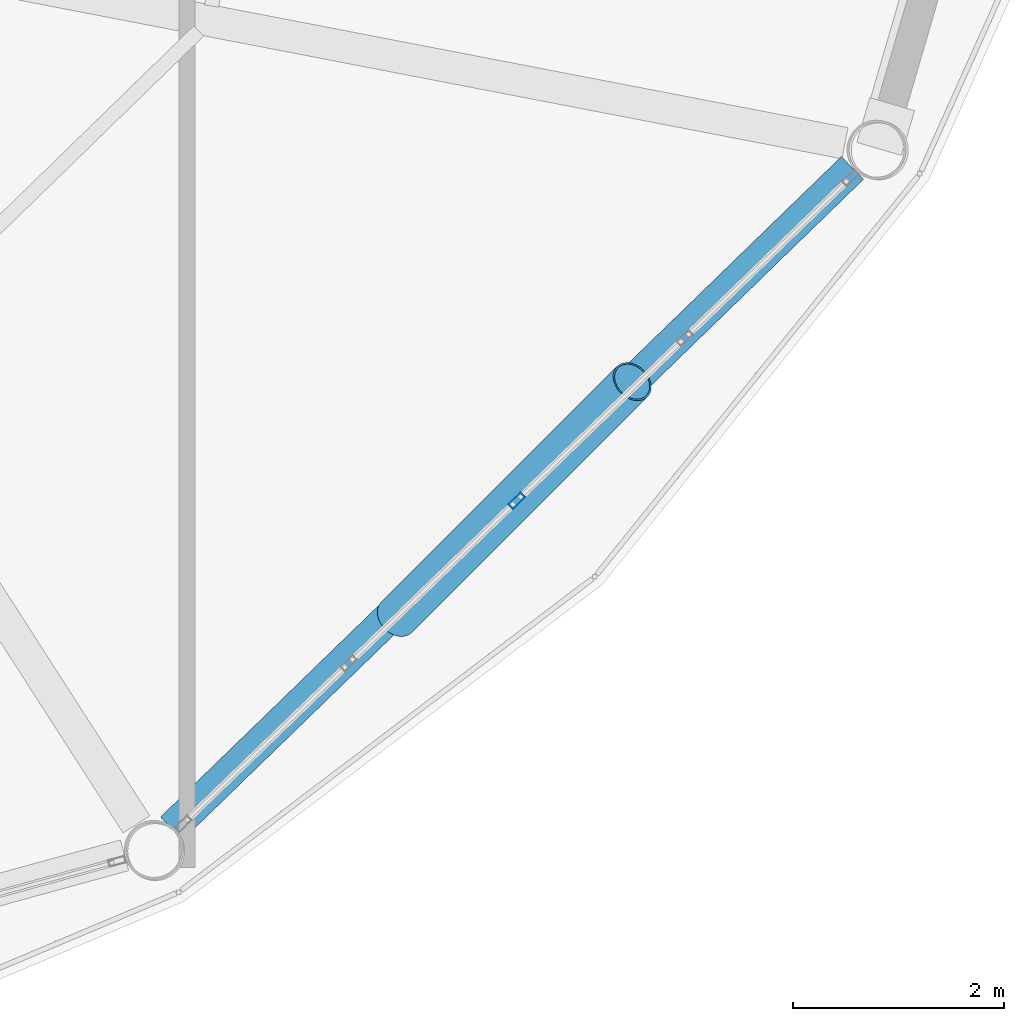
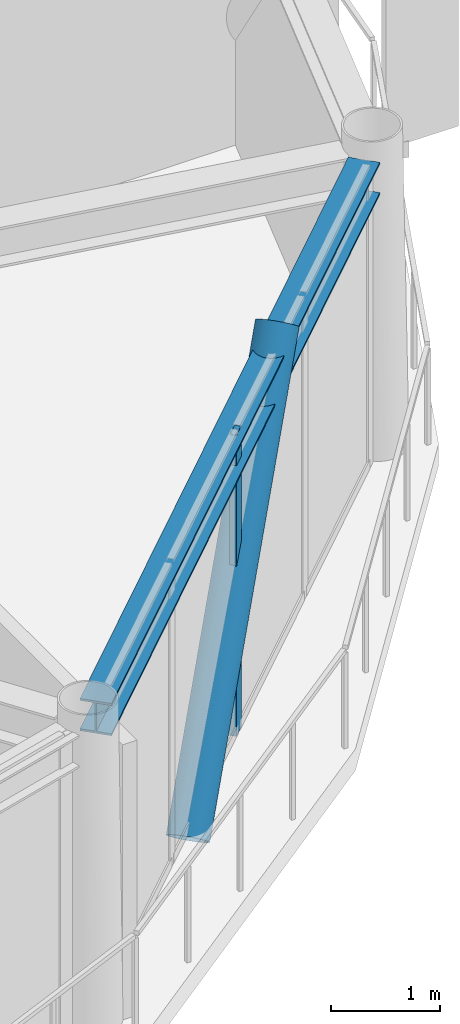
# One storey, part 9 of 27: 2 members, 1 beam, 1 element without a shape of its own.
"""IFC4 building model written with IfcOpenShell, lengths in metres."""

from ifc_helpers import new_model, si_unit, direction, frame, origin, origin_2d, place, context, subcontext, project, spatial, hollow_rectangle, hollow_circle, i_section, extrude, material, layer, layer_set, material_profile, profile_set, type_object, element, aggregate, save


model = new_model("IFC4")

# Units and contexts
model_context = context("Model", 3, precision=1e-05, world=origin(), true_north=direction((0.0, 1.0)))
body_context = subcontext(model_context, "Body", "Model", "MODEL_VIEW")
ifc_project = project(units=[si_unit("LENGTHUNIT", "METRE"), si_unit("AREAUNIT", "SQUARE_METRE"), si_unit("VOLUMEUNIT", "CUBIC_METRE"), si_unit("PLANEANGLEUNIT", "RADIAN"), si_unit("MASSUNIT", "GRAM", prefix="KILO")], contexts=[model_context])

# Site, building, storey
site_placement = place(None, origin())
site = spatial("IfcSite", under=ifc_project, at=site_placement, CompositionType="ELEMENT")
building_placement = place(site_placement, origin())
building = spatial("IfcBuilding", under=site, at=building_placement, Name="Varnakorn Sky Granary", CompositionType="ELEMENT")
storey_placement = place(building_placement, frame((0.0, 0.0, 229.199951171875)))
storey = spatial("IfcBuildingStorey", under=building, at=storey_placement, Name="L58", CompositionType="ELEMENT", Elevation=229.199951171875)

# Beam
ifc_material_1 = material(Name="Steel S355JR", Category="steel")
ifc_material_profile_1 = material_profile(ifc_material_1, i_section(OverallWidth=0.300048828125, OverallDepth=0.360107421875, WebThickness=0.012451171875, FlangeThickness=0.0224609375, at=origin_2d()), Name="HE 360 B")
ifc_profile_set_1 = profile_set([ifc_material_profile_1], Name="Steel S355JR")
beam_type = type_object("IfcBeamType", Name="BM-SPD-Z5", PredefinedType="SPANDREL", material=ifc_profile_set_1)
beam_placement = place(storey_placement, frame((14.35546875, -15.467529296875, 3.179931640625), z_axis=(0.717760671114, 0.696289895806, 0.0), x_axis=(-0.696289895806, 0.717760671114, 0.0)))
element("IfcBeam", 1, at=beam_placement, inside=storey, type_object=beam_type, Name="Perimeter Spandrel Ring Beam RB11 L58", PredefinedType="SPANDREL", context=body_context, shape_type="SweptSolid", body=[
    extrude(i_section(OverallWidth=0.300048828125, OverallDepth=0.360107421875, WebThickness=0.012451171875, FlangeThickness=0.0224609375, at=origin_2d()), origin(), (0.0, 0.0, 1.0), 8.9716796875),
])

# Curtain wall, member
ifc_material_2 = material(Name="Anodised Bronze Aluminium Alloy 6063-T6", Category="aluminium")
ifc_layer = layer(ifc_material_2, 0.169921875, Name="Anodised Bronze Aluminium Alloy 6063-T6")
ifc_layer_set = layer_set([ifc_layer], Name="Anodised Bronze Aluminium Alloy 6063-T6")
curtain_wall_type = type_object("IfcCurtainWallType", Name="CW-LAB-1", PredefinedType="USERDEFINED", material=ifc_layer_set)
curtain_wall_placement = place(storey_placement, origin())
curtain_wall = element("IfcCurtainWall", 2, at=curtain_wall_placement, inside=storey, type_object=curtain_wall_type, Name="Unitised Curtain Wall CW5 CW-L58-B11", ObjectType="CURTAIN WALL", PredefinedType="USERDEFINED")
ifc_material_profile_2 = material_profile(ifc_material_2, hollow_rectangle(XDim=0.06494140625, YDim=0.159912109375, WallThickness=0.00341796875, at=origin_2d()), Name="ALU MULL 65x160")
ifc_profile_set_2 = profile_set([ifc_material_profile_2], Name="Anodised Bronze Aluminium Alloy 6063-T6")
member_type_1 = type_object("IfcMemberType", Name="CW-LAB-1-MULL", PredefinedType="MULLION", material=ifc_profile_set_2)
member_1_placement = place(storey_placement, frame((17.62158203125, -12.3671875, 0.0), z_axis=(0.0, 0.0, 1.0), x_axis=(0.695640153276, -0.718390407195, 0.0)))
member_1 = element("IfcMember", 3, at=member_1_placement, type_object=member_type_1, Name="CW5 mullion 3", PredefinedType="MULLION", context=body_context, shape_type="SweptSolid", body=[
    extrude(hollow_rectangle(XDim=0.06494140625, YDim=0.159912109375, WallThickness=0.00341796875, at=origin_2d()), origin(), (0.0, 0.0, 1.0), 3.360107421875),
])
aggregate(curtain_wall, [member_1])

# Member
ifc_material_3 = material(Name="Steel S460M", Category="steel")
ifc_material_profile_3 = material_profile(ifc_material_3, hollow_circle(Radius=0.203125, WallThickness=0.01611328125, at=origin_2d()), Name="CHS 406.4x16")
ifc_profile_set_3 = profile_set([ifc_material_profile_3], Name="Steel S460M")
member_type_2 = type_object("IfcMemberType", Name="MB-DIAG-T4", PredefinedType="BRACE", material=ifc_profile_set_3)
member_2_placement = place(storey_placement, frame((16.48095703125, -13.471923828125, -0.1298828125), z_axis=(0.464636007012, 0.464483467286, 0.75390217509), x_axis=(-0.706990681233, 0.707222862081, 0.0)))
element("IfcMember", 4, at=member_2_placement, inside=storey, type_object=member_type_2, Name="Perimeter CHS Diagrid Brace DG11 L58", PredefinedType="BRACE", context=body_context, shape_type="SweptSolid", body=[
    extrude(hollow_circle(Radius=0.203125, WallThickness=0.01611328125, at=origin_2d()), origin(), (0.0, 0.0, 1.0), 4.801513671875),
])

save(model, "model.ifc")
